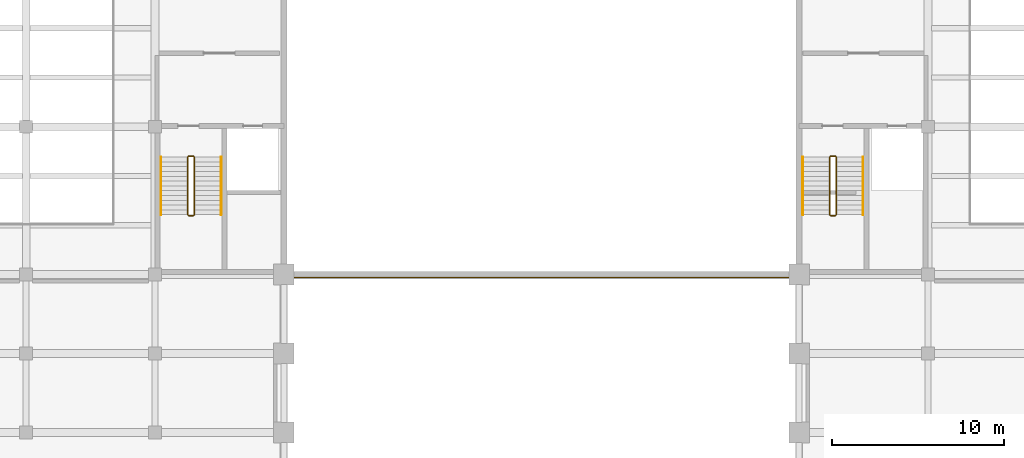
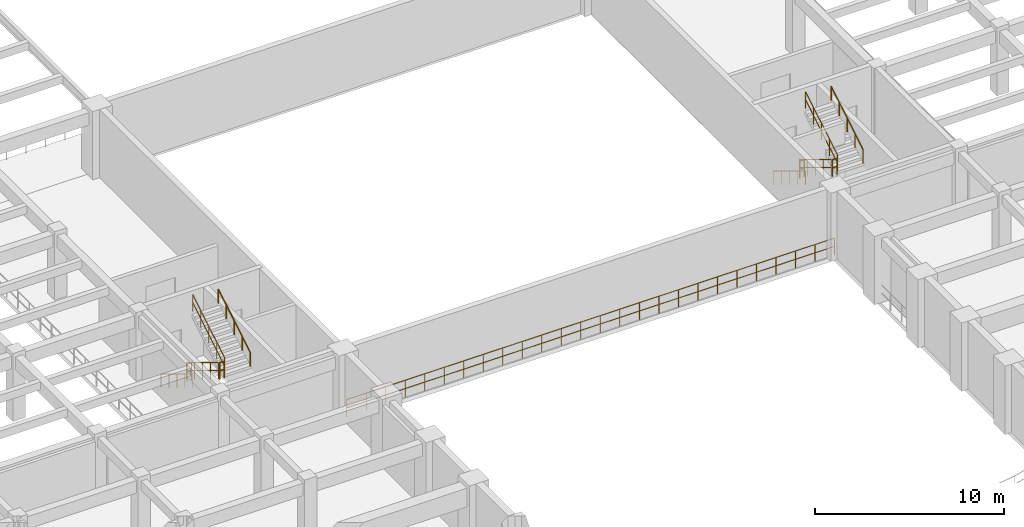
# One storey, part 112 of 116: 13 railings.
"""IFC4 building model written with IfcOpenShell, lengths in metres."""

from ifc_helpers import new_model, si_unit, direction, frame, origin, origin_2d, place, context, subcontext, project, spatial, circle, extrude, material, type_object, element, save


model = new_model("IFC4")

# Units and contexts
model_context = context("Model", 3, precision=1e-05, world=origin(), true_north=direction((0.0, 1.0)))
body_context = subcontext(model_context, "Body", "Model", "MODEL_VIEW")
ifc_project = project(units=[si_unit("LENGTHUNIT", "METRE"), si_unit("AREAUNIT", "SQUARE_METRE"), si_unit("VOLUMEUNIT", "CUBIC_METRE"), si_unit("PLANEANGLEUNIT", "RADIAN"), si_unit("MASSUNIT", "GRAM", prefix="KILO")], contexts=[model_context])

# Site, building, storey
site_placement = place(None, origin())
site = spatial("IfcSite", under=ifc_project, at=site_placement, CompositionType="ELEMENT")
building_placement = place(site_placement, origin())
building = spatial("IfcBuilding", under=site, at=building_placement, Name="Muzn Square Opera House", CompositionType="ELEMENT")
storey_placement = place(building_placement, frame((0.0, 0.0, 5.39990234375)))
storey = spatial("IfcBuildingStorey", under=building, at=storey_placement, Name="L01", CompositionType="ELEMENT", Elevation=5.39990234375)

# Railings
ifc_material_1 = material(Name="Architectural bronze mashrabiya", Category="metal")
railing_type_1 = type_object("IfcRailingType", Name="Bronze Protective Balustrade 1120mm", PredefinedType="BALUSTRADE", material=ifc_material_1)
railing_1_placement = place(storey_placement, frame((102.8701171875, 72.429931640625, 0.0)))
element("IfcRailing", 1, at=railing_1_placement, inside=storey, type_object=railing_type_1, Name="Void Edge Balustrade L01-0011", PredefinedType="BALUSTRADE", context=body_context, shape_type="SweptSolid", body=[
    extrude(circle(Radius=0.02392578125, at=origin_2d()), frame((0.0, 0.0, 1.09619140625), z_axis=(-1.0, 0.0, 0.0), x_axis=(0.0, -1.0, 0.0)), (0.0, 0.0, 1.0), 29.740234375),
    extrude(circle(Radius=0.02392578125, at=origin_2d()), frame((0.0, 0.0, 0.56005859375), z_axis=(-1.0, 0.0, 0.0), x_axis=(0.0, -1.0, 0.0)), (0.0, 0.0, 1.0), 29.740234375),
    extrude(circle(Radius=0.02099609375, at=origin_2d()), origin(), (0.0, 0.0, 1.0), 1.072021484375),
    extrude(circle(Radius=0.02099609375, at=origin_2d()), frame((-1.189697265625, 0.0, 0.0)), (0.0, 0.0, 1.0), 1.072021484375),
    extrude(circle(Radius=0.02099609375, at=origin_2d()), frame((-2.379150390625, 0.0, 0.0)), (0.0, 0.0, 1.0), 1.072021484375),
    extrude(circle(Radius=0.02099609375, at=origin_2d()), frame((-3.56884765625, 0.0, 0.0)), (0.0, 0.0, 1.0), 1.072021484375),
    extrude(circle(Radius=0.02099609375, at=origin_2d()), frame((-4.758544921875, 0.0, 0.0)), (0.0, 0.0, 1.0), 1.072021484375),
    extrude(circle(Radius=0.02099609375, at=origin_2d()), frame((-5.947998046875, 0.0, 0.0)), (0.0, 0.0, 1.0), 1.072021484375),
    extrude(circle(Radius=0.02099609375, at=origin_2d()), frame((-7.1376953125, 0.0, 0.0)), (0.0, 0.0, 1.0), 1.072021484375),
    extrude(circle(Radius=0.02099609375, at=origin_2d()), frame((-8.3271484375, 0.0, 0.0)), (0.0, 0.0, 1.0), 1.072021484375),
    extrude(circle(Radius=0.02099609375, at=origin_2d()), frame((-9.516845703125, 0.0, 0.0)), (0.0, 0.0, 1.0), 1.072021484375),
    extrude(circle(Radius=0.02099609375, at=origin_2d()), frame((-10.70654296875, 0.0, 0.0)), (0.0, 0.0, 1.0), 1.072021484375),
    extrude(circle(Radius=0.02099609375, at=origin_2d()), frame((-11.89599609375, 0.0, 0.0)), (0.0, 0.0, 1.0), 1.072021484375),
    extrude(circle(Radius=0.02099609375, at=origin_2d()), frame((-13.085693359375, 0.0, 0.0)), (0.0, 0.0, 1.0), 1.072021484375),
    extrude(circle(Radius=0.02099609375, at=origin_2d()), frame((-14.275390625, 0.0, 0.0)), (0.0, 0.0, 1.0), 1.072021484375),
    extrude(circle(Radius=0.02099609375, at=origin_2d()), frame((-15.46484375, 0.0, 0.0)), (0.0, 0.0, 1.0), 1.072021484375),
    extrude(circle(Radius=0.02099609375, at=origin_2d()), frame((-16.654541015625, 0.0, 0.0)), (0.0, 0.0, 1.0), 1.072021484375),
    extrude(circle(Radius=0.02099609375, at=origin_2d()), frame((-17.84423828125, 0.0, 0.0)), (0.0, 0.0, 1.0), 1.072021484375),
    extrude(circle(Radius=0.02099609375, at=origin_2d()), frame((-19.03369140625, 0.0, 0.0)), (0.0, 0.0, 1.0), 1.072021484375),
    extrude(circle(Radius=0.02099609375, at=origin_2d()), frame((-20.223388671875, 0.0, 0.0)), (0.0, 0.0, 1.0), 1.072021484375),
    extrude(circle(Radius=0.02099609375, at=origin_2d()), frame((-21.4130859375, 0.0, 0.0)), (0.0, 0.0, 1.0), 1.072021484375),
    extrude(circle(Radius=0.02099609375, at=origin_2d()), frame((-22.6025390625, 0.0, 0.0)), (0.0, 0.0, 1.0), 1.072021484375),
    extrude(circle(Radius=0.02099609375, at=origin_2d()), frame((-23.792236328125, 0.0, 0.0)), (0.0, 0.0, 1.0), 1.072021484375),
    extrude(circle(Radius=0.02099609375, at=origin_2d()), frame((-24.981689453125, 0.0, 0.0)), (0.0, 0.0, 1.0), 1.072021484375),
    extrude(circle(Radius=0.02099609375, at=origin_2d()), frame((-26.17138671875, 0.0, 0.0)), (0.0, 0.0, 1.0), 1.072021484375),
    extrude(circle(Radius=0.02099609375, at=origin_2d()), frame((-27.361083984375, 0.0, 0.0)), (0.0, 0.0, 1.0), 1.072021484375),
    extrude(circle(Radius=0.02099609375, at=origin_2d()), frame((-28.550537109375, 0.0, 0.0)), (0.0, 0.0, 1.0), 1.072021484375),
    extrude(circle(Radius=0.02099609375, at=origin_2d()), frame((-29.740234375, 0.0, 0.0)), (0.0, 0.0, 1.0), 1.072021484375),
])
ifc_material_2 = material(Name="Brushed stainless steel", Category="metal")
railing_type_2 = type_object("IfcRailingType", Name="Stair Guard Railing 1120mm", PredefinedType="GUARDRAIL", material=ifc_material_2)
railing_2_placement = place(storey_placement, frame((67.409912109375, 79.43994140625, 0.16943359375)))
element("IfcRailing", 2, at=railing_2_placement, inside=storey, type_object=railing_type_2, Name="L01 ST-1 stair guard 1", PredefinedType="GUARDRAIL", context=body_context, shape_type="SweptSolid", body=[
    extrude(circle(Radius=0.02392578125, at=origin_2d()), frame((0.0, 0.0, 1.076171875), z_axis=(0.0, -0.855820338506, 0.51727318527), x_axis=(1.0, 0.0, 0.0)), (0.0, 0.0, 1.0), 3.92578125),
    extrude(circle(Radius=0.02392578125, at=origin_2d()), frame((0.0, 0.0, 0.550048828125), z_axis=(0.0, -0.855820338506, 0.51727318527), x_axis=(1.0, 0.0, 0.0)), (0.0, 0.0, 1.0), 3.92578125),
    extrude(circle(Radius=0.02099609375, at=origin_2d()), origin(), (0.0, 0.0, 1.0), 1.052001953125),
    extrude(circle(Radius=0.02099609375, at=origin_2d()), frame((0.0, -0.83984375, 0.5078125)), (0.0, 0.0, 1.0), 1.052001953125),
    extrude(circle(Radius=0.02099609375, at=origin_2d()), frame((0.0, -1.679931640625, 1.015380859375)), (0.0, 0.0, 1.0), 1.052001953125),
    extrude(circle(Radius=0.02099609375, at=origin_2d()), frame((0.0, -2.52001953125, 1.52294921875)), (0.0, 0.0, 1.0), 1.052001953125),
    extrude(circle(Radius=0.02099609375, at=origin_2d()), frame((0.0, -3.35986328125, 2.03076171875)), (0.0, 0.0, 1.0), 1.052001953125),
])
railing_3_placement = place(storey_placement, frame((67.4599609375, 76.030029296875, 2.2001953125)))
element("IfcRailing", 3, at=railing_3_placement, inside=storey, type_object=railing_type_2, Name="L01 ST-1 stair guard 2", PredefinedType="GUARDRAIL", context=body_context, shape_type="SweptSolid", body=[
    extrude(circle(Radius=0.02392578125, at=origin_2d()), frame((0.0, 0.0, 1.076171875), z_axis=(1.0, 0.0, 0.0), x_axis=(0.0, 1.0, 0.0)), (0.0, 0.0, 1.0), 0.280029296875),
    extrude(circle(Radius=0.02392578125, at=origin_2d()), frame((0.0, 0.0, 0.550048828125), z_axis=(1.0, 0.0, 0.0), x_axis=(0.0, 1.0, 0.0)), (0.0, 0.0, 1.0), 0.280029296875),
    extrude(circle(Radius=0.02099609375, at=origin_2d()), origin(), (0.0, 0.0, 1.0), 1.052001953125),
    extrude(circle(Radius=0.02099609375, at=origin_2d()), frame((0.280029296875, 0.0, 0.0)), (0.0, 0.0, 1.0), 1.052001953125),
])
railing_4_placement = place(storey_placement, frame((67.7900390625, 76.080078125, 2.369384765625)))
element("IfcRailing", 4, at=railing_4_placement, inside=storey, type_object=railing_type_2, Name="L01 ST-1 stair guard 3", PredefinedType="GUARDRAIL", context=body_context, shape_type="SweptSolid", body=[
    extrude(circle(Radius=0.02392578125, at=origin_2d()), frame((0.0, 0.0, 1.076171875), z_axis=(0.0, 0.855820338506, 0.51727318527), x_axis=(-1.0, 0.0, 0.0)), (0.0, 0.0, 1.0), 3.92578125),
    extrude(circle(Radius=0.02392578125, at=origin_2d()), frame((0.0, 0.0, 0.550048828125), z_axis=(0.0, 0.855820338506, 0.51727318527), x_axis=(-1.0, 0.0, 0.0)), (0.0, 0.0, 1.0), 3.92578125),
    extrude(circle(Radius=0.02099609375, at=origin_2d()), origin(), (0.0, 0.0, 1.0), 1.052001953125),
    extrude(circle(Radius=0.02099609375, at=origin_2d()), frame((0.0, 0.83984375, 0.5078125)), (0.0, 0.0, 1.0), 1.052001953125),
    extrude(circle(Radius=0.02099609375, at=origin_2d()), frame((0.0, 1.679931640625, 1.015380859375)), (0.0, 0.0, 1.0), 1.052001953125),
    extrude(circle(Radius=0.02099609375, at=origin_2d()), frame((0.0, 2.52001953125, 1.52294921875)), (0.0, 0.0, 1.0), 1.052001953125),
    extrude(circle(Radius=0.02099609375, at=origin_2d()), frame((0.0, 3.35986328125, 2.03076171875)), (0.0, 0.0, 1.0), 1.052001953125),
])
railing_5_placement = place(storey_placement, frame((67.4599609375, 79.489990234375, 0.0)))
element("IfcRailing", 5, at=railing_5_placement, inside=storey, type_object=railing_type_2, Name="L01 ST-1 stair guard 4", PredefinedType="GUARDRAIL", context=body_context, shape_type="SweptSolid", body=[
    extrude(circle(Radius=0.02392578125, at=origin_2d()), frame((0.0, 0.0, 1.076171875), z_axis=(1.0, 0.0, 0.0), x_axis=(0.0, 1.0, 0.0)), (0.0, 0.0, 1.0), 0.280029296875),
    extrude(circle(Radius=0.02392578125, at=origin_2d()), frame((0.0, 0.0, 0.550048828125), z_axis=(1.0, 0.0, 0.0), x_axis=(0.0, 1.0, 0.0)), (0.0, 0.0, 1.0), 0.280029296875),
    extrude(circle(Radius=0.02099609375, at=origin_2d()), origin(), (0.0, 0.0, 1.0), 1.052001953125),
    extrude(circle(Radius=0.02099609375, at=origin_2d()), frame((0.280029296875, 0.0, 0.0)), (0.0, 0.0, 1.0), 1.052001953125),
])
railing_6_placement = place(storey_placement, frame((104.780029296875, 79.43994140625, 0.16943359375)))
element("IfcRailing", 6, at=railing_6_placement, inside=storey, type_object=railing_type_2, Name="L01 ST-2 stair guard 1", PredefinedType="GUARDRAIL", context=body_context, shape_type="SweptSolid", body=[
    extrude(circle(Radius=0.02392578125, at=origin_2d()), frame((0.0, 0.0, 1.076171875), z_axis=(0.0, -0.855820338506, 0.51727318527), x_axis=(1.0, 0.0, 0.0)), (0.0, 0.0, 1.0), 3.92578125),
    extrude(circle(Radius=0.02392578125, at=origin_2d()), frame((0.0, 0.0, 0.550048828125), z_axis=(0.0, -0.855820338506, 0.51727318527), x_axis=(1.0, 0.0, 0.0)), (0.0, 0.0, 1.0), 3.92578125),
    extrude(circle(Radius=0.02099609375, at=origin_2d()), origin(), (0.0, 0.0, 1.0), 1.052001953125),
    extrude(circle(Radius=0.02099609375, at=origin_2d()), frame((0.0, -0.83984375, 0.5078125)), (0.0, 0.0, 1.0), 1.052001953125),
    extrude(circle(Radius=0.02099609375, at=origin_2d()), frame((0.0, -1.679931640625, 1.015380859375)), (0.0, 0.0, 1.0), 1.052001953125),
    extrude(circle(Radius=0.02099609375, at=origin_2d()), frame((0.0, -2.52001953125, 1.52294921875)), (0.0, 0.0, 1.0), 1.052001953125),
    extrude(circle(Radius=0.02099609375, at=origin_2d()), frame((0.0, -3.35986328125, 2.03076171875)), (0.0, 0.0, 1.0), 1.052001953125),
])
railing_7_placement = place(storey_placement, frame((104.830078125, 76.030029296875, 2.2001953125)))
element("IfcRailing", 7, at=railing_7_placement, inside=storey, type_object=railing_type_2, Name="L01 ST-2 stair guard 2", PredefinedType="GUARDRAIL", context=body_context, shape_type="SweptSolid", body=[
    extrude(circle(Radius=0.02392578125, at=origin_2d()), frame((0.0, 0.0, 1.076171875), z_axis=(1.0, 0.0, 0.0), x_axis=(0.0, 1.0, 0.0)), (0.0, 0.0, 1.0), 0.280029296875),
    extrude(circle(Radius=0.02392578125, at=origin_2d()), frame((0.0, 0.0, 0.550048828125), z_axis=(1.0, 0.0, 0.0), x_axis=(0.0, 1.0, 0.0)), (0.0, 0.0, 1.0), 0.280029296875),
    extrude(circle(Radius=0.02099609375, at=origin_2d()), origin(), (0.0, 0.0, 1.0), 1.052001953125),
    extrude(circle(Radius=0.02099609375, at=origin_2d()), frame((0.280029296875, 0.0, 0.0)), (0.0, 0.0, 1.0), 1.052001953125),
])
railing_8_placement = place(storey_placement, frame((105.159912109375, 76.080078125, 2.369384765625)))
element("IfcRailing", 8, at=railing_8_placement, inside=storey, type_object=railing_type_2, Name="L01 ST-2 stair guard 3", PredefinedType="GUARDRAIL", context=body_context, shape_type="SweptSolid", body=[
    extrude(circle(Radius=0.02392578125, at=origin_2d()), frame((0.0, 0.0, 1.076171875), z_axis=(0.0, 0.855820338506, 0.51727318527), x_axis=(-1.0, 0.0, 0.0)), (0.0, 0.0, 1.0), 3.92578125),
    extrude(circle(Radius=0.02392578125, at=origin_2d()), frame((0.0, 0.0, 0.550048828125), z_axis=(0.0, 0.855820338506, 0.51727318527), x_axis=(-1.0, 0.0, 0.0)), (0.0, 0.0, 1.0), 3.92578125),
    extrude(circle(Radius=0.02099609375, at=origin_2d()), origin(), (0.0, 0.0, 1.0), 1.052001953125),
    extrude(circle(Radius=0.02099609375, at=origin_2d()), frame((0.0, 0.83984375, 0.5078125)), (0.0, 0.0, 1.0), 1.052001953125),
    extrude(circle(Radius=0.02099609375, at=origin_2d()), frame((0.0, 1.679931640625, 1.015380859375)), (0.0, 0.0, 1.0), 1.052001953125),
    extrude(circle(Radius=0.02099609375, at=origin_2d()), frame((0.0, 2.52001953125, 1.52294921875)), (0.0, 0.0, 1.0), 1.052001953125),
    extrude(circle(Radius=0.02099609375, at=origin_2d()), frame((0.0, 3.35986328125, 2.03076171875)), (0.0, 0.0, 1.0), 1.052001953125),
])
railing_9_placement = place(storey_placement, frame((104.830078125, 79.489990234375, 0.0)))
element("IfcRailing", 9, at=railing_9_placement, inside=storey, type_object=railing_type_2, Name="L01 ST-2 stair guard 4", PredefinedType="GUARDRAIL", context=body_context, shape_type="SweptSolid", body=[
    extrude(circle(Radius=0.02392578125, at=origin_2d()), frame((0.0, 0.0, 1.076171875), z_axis=(1.0, 0.0, 0.0), x_axis=(0.0, 1.0, 0.0)), (0.0, 0.0, 1.0), 0.280029296875),
    extrude(circle(Radius=0.02392578125, at=origin_2d()), frame((0.0, 0.0, 0.550048828125), z_axis=(1.0, 0.0, 0.0), x_axis=(0.0, 1.0, 0.0)), (0.0, 0.0, 1.0), 0.280029296875),
    extrude(circle(Radius=0.02099609375, at=origin_2d()), origin(), (0.0, 0.0, 1.0), 1.052001953125),
    extrude(circle(Radius=0.02099609375, at=origin_2d()), frame((0.280029296875, 0.0, 0.0)), (0.0, 0.0, 1.0), 1.052001953125),
])
railing_type_3 = type_object("IfcRailingType", Name="Stair Pitch Handrail 900mm", PredefinedType="HANDRAIL", material=ifc_material_2)
railing_10_placement = place(storey_placement, frame((65.85009765625, 79.43994140625, 0.16943359375)))
element("IfcRailing", 10, at=railing_10_placement, inside=storey, type_object=railing_type_3, Name="L01 ST-1 stair handrail 1", PredefinedType="HANDRAIL", context=body_context, shape_type="SweptSolid", body=[
    extrude(circle(Radius=0.02392578125, at=origin_2d()), frame((0.0, 0.0, 0.8759765625), z_axis=(0.0, -0.855820338506, 0.51727318527), x_axis=(1.0, 0.0, 0.0)), (0.0, 0.0, 1.0), 3.92578125),
    extrude(circle(Radius=0.02099609375, at=origin_2d()), origin(), (0.0, 0.0, 1.0), 0.851806640625),
    extrude(circle(Radius=0.02099609375, at=origin_2d()), frame((0.0, -0.83984375, 0.5078125)), (0.0, 0.0, 1.0), 0.851806640625),
    extrude(circle(Radius=0.02099609375, at=origin_2d()), frame((0.0, -1.679931640625, 1.015380859375)), (0.0, 0.0, 1.0), 0.851806640625),
    extrude(circle(Radius=0.02099609375, at=origin_2d()), frame((0.0, -2.52001953125, 1.52294921875)), (0.0, 0.0, 1.0), 0.851806640625),
    extrude(circle(Radius=0.02099609375, at=origin_2d()), frame((0.0, -3.35986328125, 2.03076171875)), (0.0, 0.0, 1.0), 0.851806640625),
])
railing_11_placement = place(storey_placement, frame((69.35009765625, 76.080078125, 2.369384765625)))
element("IfcRailing", 11, at=railing_11_placement, inside=storey, type_object=railing_type_3, Name="L01 ST-1 stair handrail 2", PredefinedType="HANDRAIL", context=body_context, shape_type="SweptSolid", body=[
    extrude(circle(Radius=0.02392578125, at=origin_2d()), frame((0.0, 0.0, 0.8759765625), z_axis=(0.0, 0.855820338506, 0.51727318527), x_axis=(-1.0, 0.0, 0.0)), (0.0, 0.0, 1.0), 3.92578125),
    extrude(circle(Radius=0.02099609375, at=origin_2d()), origin(), (0.0, 0.0, 1.0), 0.851806640625),
    extrude(circle(Radius=0.02099609375, at=origin_2d()), frame((0.0, 0.83984375, 0.5078125)), (0.0, 0.0, 1.0), 0.851806640625),
    extrude(circle(Radius=0.02099609375, at=origin_2d()), frame((0.0, 1.679931640625, 1.015380859375)), (0.0, 0.0, 1.0), 0.851806640625),
    extrude(circle(Radius=0.02099609375, at=origin_2d()), frame((0.0, 2.52001953125, 1.52294921875)), (0.0, 0.0, 1.0), 0.851806640625),
    extrude(circle(Radius=0.02099609375, at=origin_2d()), frame((0.0, 3.35986328125, 2.03076171875)), (0.0, 0.0, 1.0), 0.851806640625),
])
railing_12_placement = place(storey_placement, frame((103.219970703125, 79.43994140625, 0.16943359375)))
element("IfcRailing", 12, at=railing_12_placement, inside=storey, type_object=railing_type_3, Name="L01 ST-2 stair handrail 1", PredefinedType="HANDRAIL", context=body_context, shape_type="SweptSolid", body=[
    extrude(circle(Radius=0.02392578125, at=origin_2d()), frame((0.0, 0.0, 0.8759765625), z_axis=(0.0, -0.855820338506, 0.51727318527), x_axis=(1.0, 0.0, 0.0)), (0.0, 0.0, 1.0), 3.92578125),
    extrude(circle(Radius=0.02099609375, at=origin_2d()), origin(), (0.0, 0.0, 1.0), 0.851806640625),
    extrude(circle(Radius=0.02099609375, at=origin_2d()), frame((0.0, -0.83984375, 0.5078125)), (0.0, 0.0, 1.0), 0.851806640625),
    extrude(circle(Radius=0.02099609375, at=origin_2d()), frame((0.0, -1.679931640625, 1.015380859375)), (0.0, 0.0, 1.0), 0.851806640625),
    extrude(circle(Radius=0.02099609375, at=origin_2d()), frame((0.0, -2.52001953125, 1.52294921875)), (0.0, 0.0, 1.0), 0.851806640625),
    extrude(circle(Radius=0.02099609375, at=origin_2d()), frame((0.0, -3.35986328125, 2.03076171875)), (0.0, 0.0, 1.0), 0.851806640625),
])
railing_13_placement = place(storey_placement, frame((106.719970703125, 76.080078125, 2.369384765625)))
element("IfcRailing", 13, at=railing_13_placement, inside=storey, type_object=railing_type_3, Name="L01 ST-2 stair handrail 2", PredefinedType="HANDRAIL", context=body_context, shape_type="SweptSolid", body=[
    extrude(circle(Radius=0.02392578125, at=origin_2d()), frame((0.0, 0.0, 0.8759765625), z_axis=(0.0, 0.855820338506, 0.51727318527), x_axis=(-1.0, 0.0, 0.0)), (0.0, 0.0, 1.0), 3.92578125),
    extrude(circle(Radius=0.02099609375, at=origin_2d()), origin(), (0.0, 0.0, 1.0), 0.851806640625),
    extrude(circle(Radius=0.02099609375, at=origin_2d()), frame((0.0, 0.83984375, 0.5078125)), (0.0, 0.0, 1.0), 0.851806640625),
    extrude(circle(Radius=0.02099609375, at=origin_2d()), frame((0.0, 1.679931640625, 1.015380859375)), (0.0, 0.0, 1.0), 0.851806640625),
    extrude(circle(Radius=0.02099609375, at=origin_2d()), frame((0.0, 2.52001953125, 1.52294921875)), (0.0, 0.0, 1.0), 0.851806640625),
    extrude(circle(Radius=0.02099609375, at=origin_2d()), frame((0.0, 3.35986328125, 2.03076171875)), (0.0, 0.0, 1.0), 0.851806640625),
])

save(model, "model.ifc")
